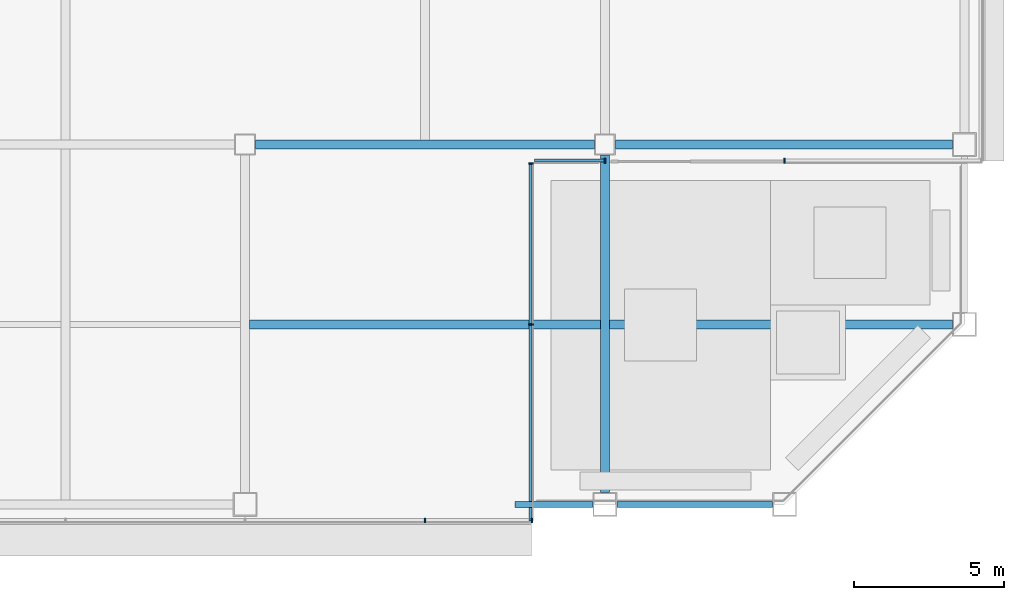
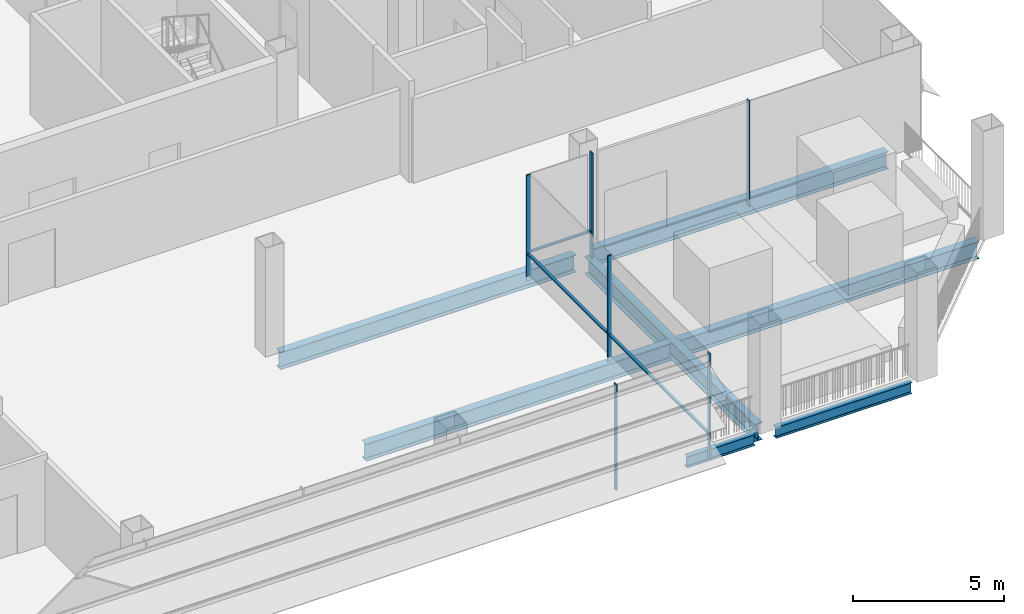
# One storey, part 9 of 28: 8 members, 7 beams, 3 elements without a shape of their own.
"""IFC4 building model written with IfcOpenShell, lengths in metres."""

from ifc_helpers import new_model, si_unit, direction, frame, origin, origin_2d, place, context, subcontext, project, spatial, rectangle, i_section, extrude, material, material_profile, profile_set, type_object, element, aggregate, save


model = new_model("IFC4")

# Units and contexts
model_context = context("Model", 3, precision=1e-05, world=origin(), true_north=direction((0.0, 1.0)))
body_context = subcontext(model_context, "Body", "Model", "MODEL_VIEW")
ifc_project = project(units=[si_unit("LENGTHUNIT", "METRE"), si_unit("AREAUNIT", "SQUARE_METRE"), si_unit("VOLUMEUNIT", "CUBIC_METRE"), si_unit("PLANEANGLEUNIT", "RADIAN"), si_unit("MASSUNIT", "GRAM", prefix="KILO")], contexts=[model_context])

# Site, building, storey
site_placement = place(None, origin())
site = spatial("IfcSite", under=ifc_project, at=site_placement, CompositionType="ELEMENT")
building_placement = place(site_placement, origin())
building = spatial("IfcBuilding", under=site, at=building_placement, Name="Sorahane Residences", CompositionType="ELEMENT")
storey_placement = place(building_placement, frame((0.0, 0.0, 134.0)))
storey = spatial("IfcBuildingStorey", under=building, at=storey_placement, Name="L30", CompositionType="ELEMENT", Elevation=134.0)

# Curtain wall, members
ifc_material_1 = material(Name="Dark low-e glass and black anodised aluminium", Category="aluminium")
curtain_wall_type = type_object("IfcCurtainWallType", Name="Curtain wall CW-1 Typical unitised wall", PredefinedType="NOTDEFINED", material=ifc_material_1)
curtain_wall_1_placement = place(storey_placement, origin())
curtain_wall_1 = element("IfcCurtainWall", 1, at=curtain_wall_1_placement, inside=storey, type_object=curtain_wall_type, Name="CW-1 curtain wall L30 S1", PredefinedType="NOTDEFINED")
ifc_material_2 = material(Name="Black anodised aluminium", Category="aluminium")
ifc_material_profile_1 = material_profile(ifc_material_2, rectangle(XDim=0.159912109375, YDim=0.050048828125, at=origin_2d()), Name="Curtain wall mullion CW-1 black anodised aluminium 50x160")
ifc_profile_set_1 = profile_set([ifc_material_profile_1], Name="Black anodised aluminium")
member_type_1 = type_object("IfcMemberType", Name="Curtain wall mullion CW-1 black anodised aluminium 50x160", PredefinedType="MULLION", material=ifc_profile_set_1)
member_1_placement = place(storey_placement, frame((42.0, -0.5400390625, -0.179931640625), z_axis=(0.0, 0.0, 1.0), x_axis=(0.0, -1.0, 0.0)))
member_1 = element("IfcMember", 2, at=member_1_placement, type_object=member_type_1, Name="CW-1 mullion L30 S1.8", PredefinedType="MULLION", context=body_context, shape_type="SweptSolid", body=[
    extrude(rectangle(XDim=0.159912109375, YDim=0.050048828125, at=origin_2d()), origin(), (0.0, 0.0, 1.0), 4.280029296875),
])
member_2_placement = place(storey_placement, frame((45.574951171875, -0.5400390625, -0.179931640625), z_axis=(0.0, 0.0, 1.0), x_axis=(0.0, -1.0, 0.0)))
member_2 = element("IfcMember", 3, at=member_2_placement, type_object=member_type_1, Name="CW-1 mullion L30 S1.9", PredefinedType="MULLION", context=body_context, shape_type="SweptSolid", body=[
    extrude(rectangle(XDim=0.159912109375, YDim=0.050048828125, at=origin_2d()), origin(), (0.0, 0.0, 1.0), 4.280029296875),
])
aggregate(curtain_wall_1, [member_1, member_2])

curtain_wall_2_placement = place(storey_placement, origin())
curtain_wall_2 = element("IfcCurtainWall", 4, at=curtain_wall_2_placement, inside=storey, type_object=curtain_wall_type, Name="CW-1 curtain wall L30 E1", PredefinedType="NOTDEFINED")
member_3_placement = place(storey_placement, frame((45.5400390625, 6.0, -0.179931640625), z_axis=(0.0, 0.0, 1.0), x_axis=(1.0, 0.0, 0.0)))
member_3 = element("IfcMember", 5, at=member_3_placement, type_object=member_type_1, Name="CW-1 mullion L30 E1.2", PredefinedType="MULLION", context=body_context, shape_type="SweptSolid", body=[
    extrude(rectangle(XDim=0.159912109375, YDim=0.050048828125, at=origin_2d()), origin(), (0.0, 0.0, 1.0), 4.280029296875),
])
member_4_placement = place(storey_placement, frame((45.5400390625, 11.375, -0.179931640625), z_axis=(0.0, 0.0, 1.0), x_axis=(1.0, 0.0, 0.0)))
member_4 = element("IfcMember", 6, at=member_4_placement, type_object=member_type_1, Name="CW-1 mullion L30 E1.3", PredefinedType="MULLION", context=body_context, shape_type="SweptSolid", body=[
    extrude(rectangle(XDim=0.159912109375, YDim=0.050048828125, at=origin_2d()), origin(), (0.0, 0.0, 1.0), 4.280029296875),
])

curtain_wall_3_placement = place(storey_placement, origin())
curtain_wall_3 = element("IfcCurtainWall", 7, at=curtain_wall_3_placement, inside=storey, type_object=curtain_wall_type, Name="CW-1 curtain wall L30 S2", PredefinedType="NOTDEFINED")
member_5_placement = place(storey_placement, frame((48.0, 11.4599609375, -0.179931640625), z_axis=(0.0, 0.0, 1.0), x_axis=(0.0, -1.0, 0.0)))
member_5 = element("IfcMember", 8, at=member_5_placement, type_object=member_type_1, Name="CW-1 mullion L30 S2.2", PredefinedType="MULLION", context=body_context, shape_type="SweptSolid", body=[
    extrude(rectangle(XDim=0.159912109375, YDim=0.050048828125, at=origin_2d()), origin(), (0.0, 0.0, 1.0), 4.280029296875),
])
member_6_placement = place(storey_placement, frame((54.0, 11.4599609375, -0.179931640625), z_axis=(0.0, 0.0, 1.0), x_axis=(0.0, -1.0, 0.0)))
member_6 = element("IfcMember", 9, at=member_6_placement, type_object=member_type_1, Name="CW-1 mullion L30 S2.3", PredefinedType="MULLION", context=body_context, shape_type="SweptSolid", body=[
    extrude(rectangle(XDim=0.159912109375, YDim=0.050048828125, at=origin_2d()), origin(), (0.0, 0.0, 1.0), 4.280029296875),
])

# Member
ifc_material_3 = material(Name="Black anodised aluminium", Category="aluminium")
ifc_material_profile_2 = material_profile(ifc_material_3, rectangle(XDim=0.10009765625, YDim=0.06005859375, at=origin_2d()), Name="Curtain wall transom CW-1 black anodised aluminium 60x100")
ifc_profile_set_2 = profile_set([ifc_material_profile_2], Name="Black anodised aluminium")
member_type_2 = type_object("IfcMemberType", Name="Curtain wall transom CW-1 black anodised aluminium 60x100", PredefinedType="USERDEFINED", material=ifc_profile_set_2)
member_7_placement = place(storey_placement, frame((45.530029296875, -0.550048828125, 0.89990234375), z_axis=(0.0, 1.0, 0.0), x_axis=(-1.0, 0.0, 0.0)))
member_7 = element("IfcMember", 10, at=member_7_placement, type_object=member_type_2, Name="CW-1 transom L30 E1", ObjectType="TRANSOM", PredefinedType="USERDEFINED", context=body_context, shape_type="SweptSolid", body=[
    extrude(rectangle(XDim=0.10009765625, YDim=0.06005859375, at=origin_2d()), origin(), (0.0, 0.0, 1.0), 11.900146484375),
])

aggregate(curtain_wall_2, [member_3, member_4, member_7])

member_8_placement = place(storey_placement, frame((45.64990234375, 11.469970703125, 0.89990234375), z_axis=(1.0, 0.0, 0.0), x_axis=(0.0, 1.0, 0.0)))
member_8 = element("IfcMember", 11, at=member_8_placement, type_object=member_type_2, Name="CW-1 transom L30 S2.1", ObjectType="TRANSOM", PredefinedType="USERDEFINED", context=body_context, shape_type="SweptSolid", body=[
    extrude(rectangle(XDim=0.10009765625, YDim=0.06005859375, at=origin_2d()), origin(), (0.0, 0.0, 1.0), 2.3251953125),
])

aggregate(curtain_wall_3, [member_5, member_6, member_8])

# Beams
ifc_material_4 = material(Name="Steel Q355B", Category="steel")
ifc_material_profile_3 = material_profile(ifc_material_4, i_section(OverallWidth=0.199951171875, OverallDepth=0.449951171875, WebThickness=0.009033203125, FlangeThickness=0.013916015625, FilletRadius=0.02001953125, at=origin_2d()), Name="HN 450x200x9x14")
ifc_profile_set_3 = profile_set([ifc_material_profile_3], Name="Steel Q355B")
beam_type_1 = type_object("IfcBeamType", Name="Steel floor beam HN 450x200x9x14 Q355B", PredefinedType="BEAM", material=ifc_profile_set_3)
beam_1_placement = place(storey_placement, frame((48.39990234375, 0.0, -0.405029296875), z_axis=(1.0, 0.0, 0.0), x_axis=(0.0, 1.0, 0.0)))
element("IfcBeam", 12, at=beam_1_placement, inside=storey, type_object=beam_type_1, Name="Beam L30 003", PredefinedType="BEAM", context=body_context, shape_type="SweptSolid", body=[
    extrude(i_section(OverallWidth=0.199951171875, OverallDepth=0.449951171875, WebThickness=0.009033203125, FlangeThickness=0.013916015625, FilletRadius=0.02001953125, at=origin_2d()), origin(), (0.0, 0.0, 1.0), 5.2001953125),
])
beam_2_placement = place(storey_placement, frame((45.0, 0.0, -0.405029296875), z_axis=(1.0, 0.0, 0.0), x_axis=(0.0, 1.0, 0.0)))
element("IfcBeam", 13, at=beam_2_placement, inside=storey, type_object=beam_type_1, Name="Beam L30 004", PredefinedType="BEAM", context=body_context, shape_type="SweptSolid", body=[
    extrude(i_section(OverallWidth=0.199951171875, OverallDepth=0.449951171875, WebThickness=0.009033203125, FlangeThickness=0.013916015625, FilletRadius=0.02001953125, at=origin_2d()), origin(), (0.0, 0.0, 1.0), 2.60009765625),
])
ifc_material_5 = material(Name="Steel Q355B", Category="steel")
ifc_material_profile_4 = material_profile(ifc_material_5, i_section(OverallWidth=0.300048828125, OverallDepth=0.699951171875, WebThickness=0.012939453125, FlangeThickness=0.02392578125, FilletRadius=0.028076171875, at=origin_2d()), Name="HN 700x300x13x24")
ifc_profile_set_4 = profile_set([ifc_material_profile_4], Name="Steel Q355B")
beam_type_2 = type_object("IfcBeamType", Name="Steel floor beam HN 700x300x13x24 Q355B", PredefinedType="BEAM", material=ifc_profile_set_4)
beam_3_placement = place(storey_placement, frame((36.35009765625, 12.0, -0.530029296875), z_axis=(1.0, 0.0, 0.0), x_axis=(0.0, 1.0, 0.0)))
element("IfcBeam", 14, at=beam_3_placement, inside=storey, type_object=beam_type_2, Name="Beam L30 009", PredefinedType="BEAM", context=body_context, shape_type="SweptSolid", body=[
    extrude(i_section(OverallWidth=0.300048828125, OverallDepth=0.699951171875, WebThickness=0.012939453125, FlangeThickness=0.02392578125, FilletRadius=0.028076171875, at=origin_2d()), origin(), (0.0, 0.0, 1.0), 11.2998046875),
])
for number, where, z_axis, x_axis, name in (
    (15, (48.35009765625, 12.0, -0.530029296875), (1.0, 0.0, 0.0), (0.0, 1.0, 0.0), "Beam L30 010"),
    (16, (48.0, 0.39990234375, -0.530029296875), (0.0, 1.0, 0.0), (-1.0, 0.0, 0.0), "Beam L30 057"),
):
    element("IfcBeam", number, at=place(storey_placement, frame(where, z_axis=z_axis, x_axis=x_axis)), inside=storey, type_object=beam_type_2, Name=name, PredefinedType="BEAM", context=body_context, shape_type="SweptSolid", body=[
        extrude(i_section(OverallWidth=0.300048828125, OverallDepth=0.699951171875, WebThickness=0.012939453125, FlangeThickness=0.02392578125, FilletRadius=0.028076171875, at=origin_2d()), origin(), (0.0, 0.0, 1.0), 11.25),
    ])
beam_4_placement = place(storey_placement, frame((36.14990234375, 6.0, -0.530029296875), z_axis=(1.0, 0.0, 0.0), x_axis=(0.0, 1.0, 0.0)))
element("IfcBeam", 17, at=beam_4_placement, inside=storey, type_object=beam_type_2, Name="Beam L30 074", PredefinedType="BEAM", context=body_context, shape_type="SweptSolid", body=[
    extrude(i_section(OverallWidth=0.300048828125, OverallDepth=0.699951171875, WebThickness=0.012939453125, FlangeThickness=0.02392578125, FilletRadius=0.028076171875, at=origin_2d()), origin(), (0.0, 0.0, 1.0), 11.7001953125),
])
beam_5_placement = place(storey_placement, frame((48.14990234375, 6.0, -0.530029296875), z_axis=(1.0, 0.0, 0.0), x_axis=(0.0, 1.0, 0.0)))
element("IfcBeam", 18, at=beam_5_placement, inside=storey, type_object=beam_type_2, Name="Beam L30 075", PredefinedType="BEAM", context=body_context, shape_type="SweptSolid", body=[
    extrude(i_section(OverallWidth=0.300048828125, OverallDepth=0.699951171875, WebThickness=0.012939453125, FlangeThickness=0.02392578125, FilletRadius=0.028076171875, at=origin_2d()), origin(), (0.0, 0.0, 1.0), 11.4501953125),
])

save(model, "model.ifc")
